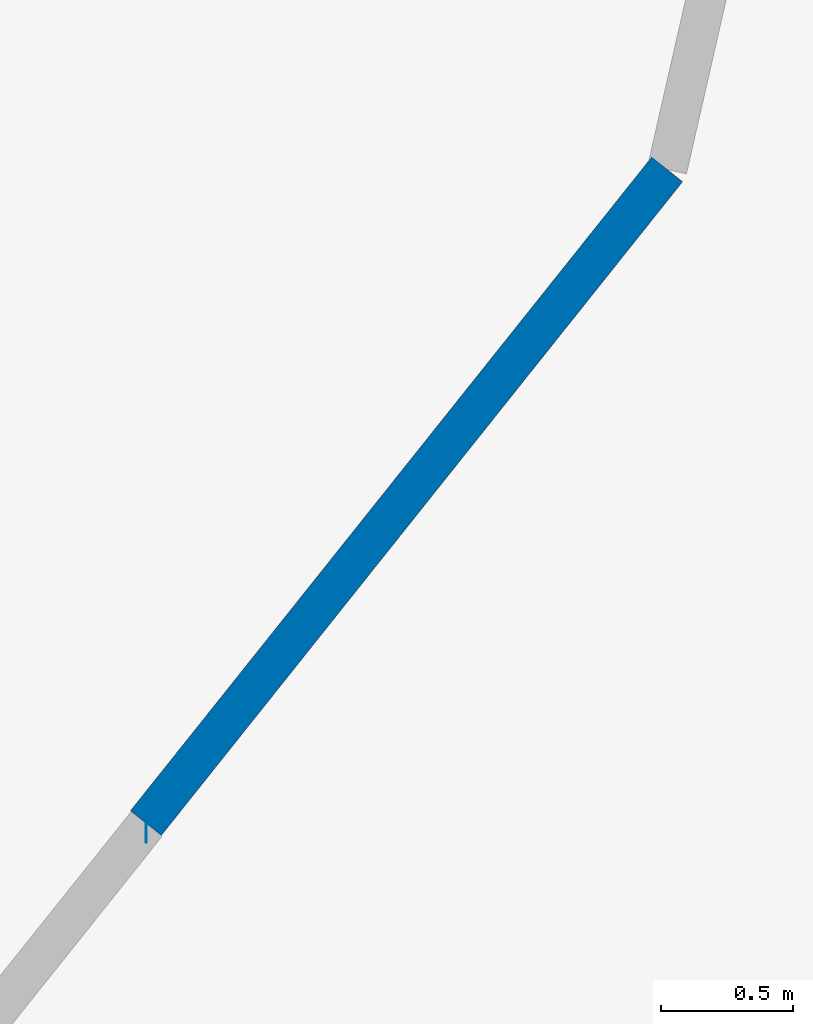
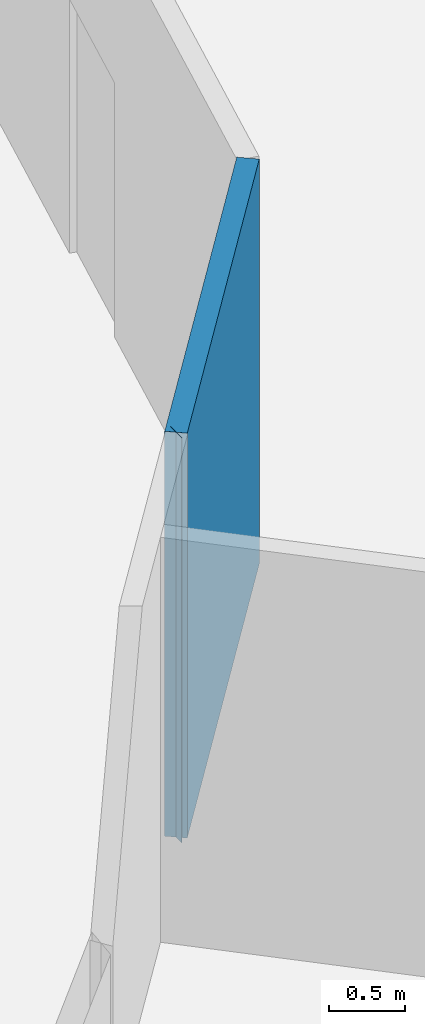
# One storey, part 4 of 12: 2 walls.
"""IFC4 building model written with IfcOpenShell, lengths in metres."""

from ifc_helpers import new_model, si_unit, direction, frame, frame_2d, origin, place, context, subcontext, project, spatial, rectangle, extrude, material, layer, layer_set, type_object, element, save


model = new_model("IFC4")

# Units and contexts
model_context = context("Model", 3, precision=1e-05, world=origin(), true_north=direction((0.0, 1.0)))
body_context = subcontext(model_context, "Body", "Model", "MODEL_VIEW")
ifc_project = project(units=[si_unit("LENGTHUNIT", "METRE"), si_unit("AREAUNIT", "SQUARE_METRE"), si_unit("VOLUMEUNIT", "CUBIC_METRE"), si_unit("PLANEANGLEUNIT", "RADIAN"), si_unit("MASSUNIT", "GRAM", prefix="KILO")], contexts=[model_context])

# Site, building, storey
site_placement = place(None, origin())
site = spatial("IfcSite", under=ifc_project, at=site_placement, CompositionType="ELEMENT")
building_placement = place(site_placement, origin())
building = spatial("IfcBuilding", under=site, at=building_placement, Name="Tracery Tower", CompositionType="ELEMENT")
storey_placement = place(building_placement, frame((0.0, 0.0, 327.0)))
storey = spatial("IfcBuildingStorey", under=building, at=storey_placement, Name="L85", CompositionType="ELEMENT", Elevation=327.0)

# Walls
ifc_material = material(Name="Plasterboard on steel studs", Category="steel")
ifc_layer = layer(ifc_material, 0.14990234375)
ifc_layer_set = layer_set([ifc_layer], Name="Partition 150 corridor wall")
wall_type = type_object("IfcWallType", Name="Partition 150 corridor wall", PredefinedType="PARTITIONING", material=ifc_layer_set)
wall_1_placement = place(storey_placement, frame((11.136962890625, -8.800048828125, 0.0), z_axis=(0.0, 0.0, 1.0), x_axis=(-1.0, 0.0, 0.0)))
element("IfcWall", 1, at=wall_1_placement, inside=storey, type_object=wall_type, Name="Corridor wall RC10-015", PredefinedType="PARTITIONING", context=body_context, shape_type="SweptSolid", body=[
    extrude(rectangle(XDim=0.0029296875, YDim=0.14990234375, at=frame_2d((0.00146484375, 0.0))), origin(), (0.0, 0.0, 1.0), 3.25),
])
wall_2_placement = place(storey_placement, frame((11.134033203125, -8.800048828125, 0.0), z_axis=(0.0, 0.0, 1.0), x_axis=(0.623476099415, 0.781842409606, 0.0)))
element("IfcWall", 2, at=wall_2_placement, inside=storey, type_object=wall_type, Name="Corridor wall RC10-019", PredefinedType="PARTITIONING", context=body_context, shape_type="SweptSolid", body=[
    extrude(rectangle(XDim=3.17724609375, YDim=0.14990234375, at=frame_2d((1.588623046875, 0.0))), origin(), (0.0, 0.0, 1.0), 3.25),
])

save(model, "model.ifc")
